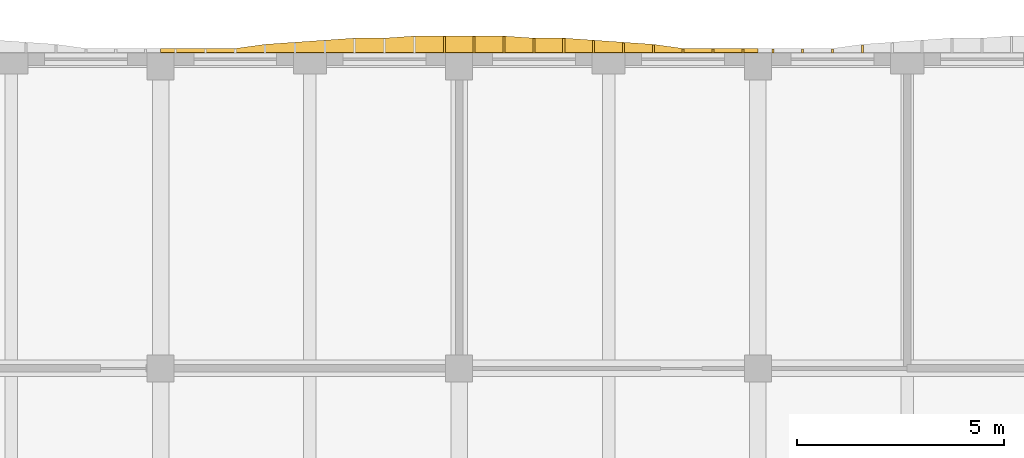
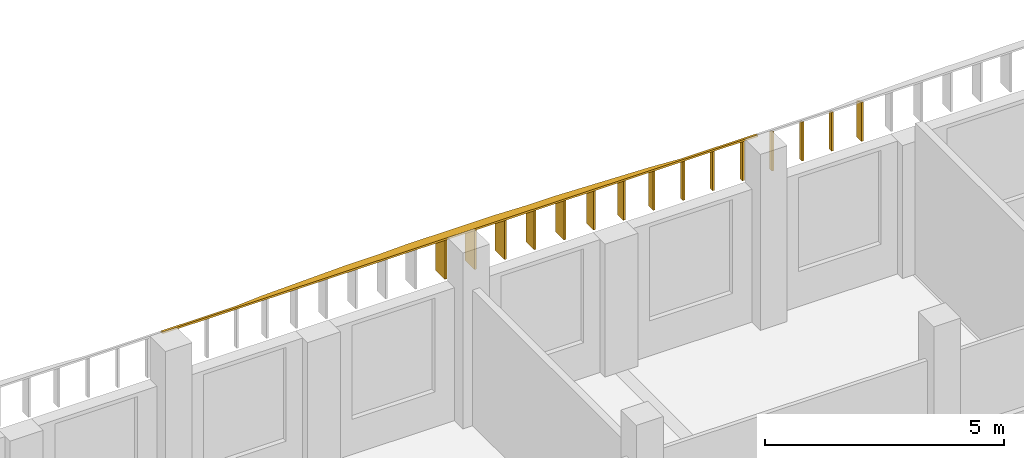
# One storey, part 40 of 54: 16 shading devices.
"""IFC4 building model written with IfcOpenShell, lengths in metres."""

from ifc_helpers import new_model, si_unit, direction, frame, origin, place, context, subcontext, project, spatial, polyline, outline, extrude, material, layer, layer_set, type_object, element, save


model = new_model("IFC4")

# Units and contexts
model_context = context("Model", 3, precision=1e-05, world=origin(), true_north=direction((0.0, 1.0)))
body_context = subcontext(model_context, "Body", "Model", "MODEL_VIEW")
ifc_project = project(units=[si_unit("LENGTHUNIT", "METRE"), si_unit("AREAUNIT", "SQUARE_METRE"), si_unit("VOLUMEUNIT", "CUBIC_METRE"), si_unit("PLANEANGLEUNIT", "RADIAN"), si_unit("MASSUNIT", "GRAM", prefix="KILO")], contexts=[model_context])

# Site, building, storey
site_placement = place(None, origin())
site = spatial("IfcSite", under=ifc_project, at=site_placement, CompositionType="ELEMENT")
building_placement = place(site_placement, origin())
building = spatial("IfcBuilding", under=site, at=building_placement, Name="Ussher Court Research Institute", CompositionType="ELEMENT")
storey_placement = place(building_placement, frame((0.0, 0.0, 14.39990234375)))
storey = spatial("IfcBuildingStorey", under=building, at=storey_placement, Name="L03", CompositionType="ELEMENT", Elevation=14.39990234375)

# Shading devices
ifc_material_1 = material(Name="Bronze anodised aluminium", Category="aluminium")
ifc_layer_1 = layer(ifc_material_1, 0.050048828125)
ifc_layer_set_1 = layer_set([ifc_layer_1], Name="Bronze anodised aluminium")
shading_device_type_1 = type_object("IfcShadingDeviceType", Name="Brim blade 100 mm deep 1000 mm high canted 20 deg dry", PredefinedType="USERDEFINED", material=ifc_layer_set_1)
for number, where, z_axis, x_axis, name in (
    (1, (30.0, 90.800048828125, 3.4501953125), (0.0, 0.0, 1.0), (0.0, 1.0, 0.0), "Brim blade BS17 L03"),
    (2, (30.719970703125, 90.800048828125, 3.4501953125), (0.0, 0.0, 1.0), (0.0, 1.0, 0.0), "Brim blade BS17 L03"),
    (3, (31.43994140625, 90.800048828125, 3.4501953125), (0.0, 0.0, 1.0), (0.0, 1.0, 0.0), "Brim blade BS17 L03"),
    (4, (32.159912109375, 90.800048828125, 3.4501953125), (0.0, 0.0, 1.0), (0.0, 1.0, 0.0), "Brim blade BS17 L03"),
    (5, (32.8798828125, 90.800048828125, 3.4501953125), (0.0, 0.0, 1.0), (0.0, 1.0, 0.0), "Brim blade BS17 L03"),
    (6, (33.60009765625, 90.800048828125, 3.4501953125), (0.0, 0.0, 1.0), (0.0, 1.0, 0.0), "Brim blade BS17 L03"),
):
    element("IfcShadingDevice", number, at=place(storey_placement, frame(where, z_axis=z_axis, x_axis=x_axis)), inside=storey, type_object=shading_device_type_1, Name=name, ObjectType="BLADE", PredefinedType="USERDEFINED", context=body_context, shape_type="SweptSolid", body=[
        extrude(outline(polyline([(0.0, 0.0), (0.099853515625, 0.0), (0.10009765625, 0.963623046875), (0.0, 1.0), (0.0, 0.0)])), frame((0.0, 0.02490234375, 0.0), z_axis=(0.0, -1.0, 0.0), x_axis=(1.0, 0.0, 0.0)), (0.0, 0.0, 1.0), 0.050048828125),
    ])
ifc_material_2 = material(Name="Bronze anodised aluminium", Category="aluminium")
ifc_layer_2 = layer(ifc_material_2, 0.050048828125)
ifc_layer_set_2 = layer_set([ifc_layer_2], Name="Bronze anodised aluminium")
shading_device_type_2 = type_object("IfcShadingDeviceType", Name="Brim blade 200 mm deep 1000 mm high canted 20 deg dry", PredefinedType="USERDEFINED", material=ifc_layer_set_2)
for number, where, z_axis, x_axis, name in (
    (7, (29.280029296875, 90.800048828125, 3.4501953125), (0.0, 0.0, 1.0), (0.0, 1.0, 0.0), "Brim blade BS15 L03"),
    (8, (34.320068359375, 90.800048828125, 3.4501953125), (0.0, 0.0, 1.0), (0.0, 1.0, 0.0), "Brim blade BS15 L03"),
):
    element("IfcShadingDevice", number, at=place(storey_placement, frame(where, z_axis=z_axis, x_axis=x_axis)), inside=storey, type_object=shading_device_type_2, Name=name, ObjectType="BLADE", PredefinedType="USERDEFINED", context=body_context, shape_type="SweptSolid", body=[
        extrude(outline(polyline([(0.0, 0.0), (0.199951171875, 0.0), (0.199951171875, 0.927001953125), (0.0, 1.0), (0.0, 0.0)])), frame((0.0, 0.02490234375, 0.0), z_axis=(0.0, -1.0, 0.0), x_axis=(1.0, 0.0, 0.0)), (0.0, 0.0, 1.0), 0.050048828125),
    ])
ifc_material_3 = material(Name="Bronze anodised aluminium", Category="aluminium")
ifc_layer_3 = layer(ifc_material_3, 0.050048828125)
ifc_layer_set_3 = layer_set([ifc_layer_3], Name="Bronze anodised aluminium")
shading_device_type_3 = type_object("IfcShadingDeviceType", Name="Brim blade 250 mm deep 1000 mm high canted 20 deg dry", PredefinedType="USERDEFINED", material=ifc_layer_set_3)
shading_device_1_placement = place(storey_placement, frame((28.56005859375, 90.800048828125, 3.4501953125), z_axis=(0.0, 0.0, 1.0), x_axis=(0.0, 1.0, 0.0)))
element("IfcShadingDevice", 9, at=shading_device_1_placement, inside=storey, type_object=shading_device_type_3, Name="Brim blade BS14 L03", ObjectType="BLADE", PredefinedType="USERDEFINED", context=body_context, shape_type="SweptSolid", body=[
    extrude(outline(polyline([(0.0, 0.0), (0.25, 0.0), (0.25, 0.908935546875), (0.0, 1.0), (0.0, 0.0)])), frame((0.0, 0.02490234375, 0.0), z_axis=(0.0, -1.0, 0.0), x_axis=(1.0, 0.0, 0.0)), (0.0, 0.0, 1.0), 0.050048828125),
])
ifc_material_4 = material(Name="Bronze anodised aluminium", Category="aluminium")
ifc_layer_4 = layer(ifc_material_4, 0.050048828125)
ifc_layer_set_4 = layer_set([ifc_layer_4], Name="Bronze anodised aluminium")
shading_device_type_4 = type_object("IfcShadingDeviceType", Name="Brim blade 300 mm deep 1000 mm high canted 20 deg dry", PredefinedType="USERDEFINED", material=ifc_layer_set_4)
shading_device_2_placement = place(storey_placement, frame((27.840087890625, 90.800048828125, 3.4501953125), z_axis=(0.0, 0.0, 1.0), x_axis=(0.0, 1.0, 0.0)))
element("IfcShadingDevice", 10, at=shading_device_2_placement, inside=storey, type_object=shading_device_type_4, Name="Brim blade BS13 L03", ObjectType="BLADE", PredefinedType="USERDEFINED", context=body_context, shape_type="SweptSolid", body=[
    extrude(outline(polyline([(0.0, 0.0), (0.300048828125, 0.0), (0.300048828125, 0.890625), (0.0, 1.0), (0.0, 0.0)])), frame((0.0, 0.02490234375, 0.0), z_axis=(0.0, -1.0, 0.0), x_axis=(1.0, 0.0, 0.0)), (0.0, 0.0, 1.0), 0.050048828125),
])
ifc_material_5 = material(Name="Bronze anodised aluminium", Category="aluminium")
ifc_layer_5 = layer(ifc_material_5, 0.050048828125)
ifc_layer_set_5 = layer_set([ifc_layer_5], Name="Bronze anodised aluminium")
shading_device_type_5 = type_object("IfcShadingDeviceType", Name="Brim blade 350 mm deep 1000 mm high canted 20 deg dry", PredefinedType="USERDEFINED", material=ifc_layer_set_5)
for number, where, z_axis, x_axis, name in (
    (11, (26.39990234375, 90.800048828125, 3.4501953125), (0.0, 0.0, 1.0), (0.0, 1.0, 0.0), "Brim blade BS12 L03"),
    (12, (27.1201171875, 90.800048828125, 3.4501953125), (0.0, 0.0, 1.0), (0.0, 1.0, 0.0), "Brim blade BS12 L03"),
):
    element("IfcShadingDevice", number, at=place(storey_placement, frame(where, z_axis=z_axis, x_axis=x_axis)), inside=storey, type_object=shading_device_type_5, Name=name, ObjectType="BLADE", PredefinedType="USERDEFINED", context=body_context, shape_type="SweptSolid", body=[
        extrude(outline(polyline([(0.0, 0.0), (0.349853515625, 0.0), (0.35009765625, 0.87255859375), (0.0, 1.0), (0.0, 0.0)])), frame((0.0, 0.02490234375, 0.0), z_axis=(0.0, -1.0, 0.0), x_axis=(1.0, 0.0, 0.0)), (0.0, 0.0, 1.0), 0.050048828125),
    ])
ifc_material_6 = material(Name="Bronze anodised aluminium", Category="aluminium")
ifc_layer_6 = layer(ifc_material_6, 0.050048828125)
ifc_layer_set_6 = layer_set([ifc_layer_6], Name="Bronze anodised aluminium")
shading_device_type_6 = type_object("IfcShadingDeviceType", Name="Brim blade 400 mm deep 1000 mm high canted 20 deg dry", PredefinedType="USERDEFINED", material=ifc_layer_set_6)
for number, where, z_axis, x_axis, name in (
    (13, (24.239990234375, 90.800048828125, 3.4501953125), (0.0, 0.0, 1.0), (0.0, 1.0, 0.0), "Brim blade BS11 L03"),
    (14, (24.9599609375, 90.800048828125, 3.4501953125), (0.0, 0.0, 1.0), (0.0, 1.0, 0.0), "Brim blade BS11 L03"),
    (15, (25.679931640625, 90.800048828125, 3.4501953125), (0.0, 0.0, 1.0), (0.0, 1.0, 0.0), "Brim blade BS11 L03"),
):
    element("IfcShadingDevice", number, at=place(storey_placement, frame(where, z_axis=z_axis, x_axis=x_axis)), inside=storey, type_object=shading_device_type_6, Name=name, ObjectType="BLADE", PredefinedType="USERDEFINED", context=body_context, shape_type="SweptSolid", body=[
        extrude(outline(polyline([(0.0, 0.0), (0.39990234375, 0.0), (0.39990234375, 0.854248046875), (0.0, 1.0), (0.0, 0.0)])), frame((0.0, 0.02490234375, 0.0), z_axis=(0.0, -1.0, 0.0), x_axis=(1.0, 0.0, 0.0)), (0.0, 0.0, 1.0), 0.050048828125),
    ])
ifc_material_7 = material(Name="Bronze anodised aluminium", Category="aluminium")
ifc_layer_7 = layer(ifc_material_7, 0.0400390625)
ifc_layer_set_7 = layer_set([ifc_layer_7], Name="Bronze anodised aluminium")
shading_device_type_7 = type_object("IfcShadingDeviceType", Name="Brim visor sheet 40 mm canted 20 deg dry", PredefinedType="USERDEFINED", material=ifc_layer_set_7)
shading_device_3_placement = place(storey_placement, frame((17.39990234375, 90.813720703125, 4.48779296875), z_axis=(0.0, 0.342255779972, 0.9396068226), x_axis=(1.0, 0.0, 0.0)))
element("IfcShadingDevice", 16, at=shading_device_3_placement, inside=storey, type_object=shading_device_type_7, Name="Brim visor sheet BR2 L03", ObjectType="BRIM", PredefinedType="USERDEFINED", context=body_context, shape_type="SweptSolid", body=[
    extrude(outline(polyline([(0.0, 0.0), (14.400146484375, 0.0), (14.400146484375, 0.10650266320353347), (14.0400390625, 0.10650266320353347), (13.320068359375, 0.10650266320353347), (12.60009765625, 0.10650266320353347), (11.880126953125, 0.21285948875017546), (11.16015625, 0.2660690410819261), (10.440185546875, 0.319362151953709), (9.72021484375, 0.3725717042854596), (9.0, 0.3725717042854596), (8.280029296875, 0.4256354189603187), (7.56005859375, 0.4256354189603187), (6.840087890625, 0.4256354189603187), (6.1201171875, 0.4256354189603187), (5.400146484375, 0.3725717042854596), (4.68017578125, 0.3725717042854596), (3.960205078125, 0.319362151953709), (3.239990234375, 0.2660690410819261), (2.52001953125, 0.21285948875017546), (1.800048828125, 0.10650266320353347), (1.080078125, 0.10650266320353347), (0.360107421875, 0.10650266320353347), (0.0, 0.10650266320353347), (0.0, 0.0)])), origin(), (0.0, 0.0, -1.0), 0.0400390625),
])

save(model, "model.ifc")
